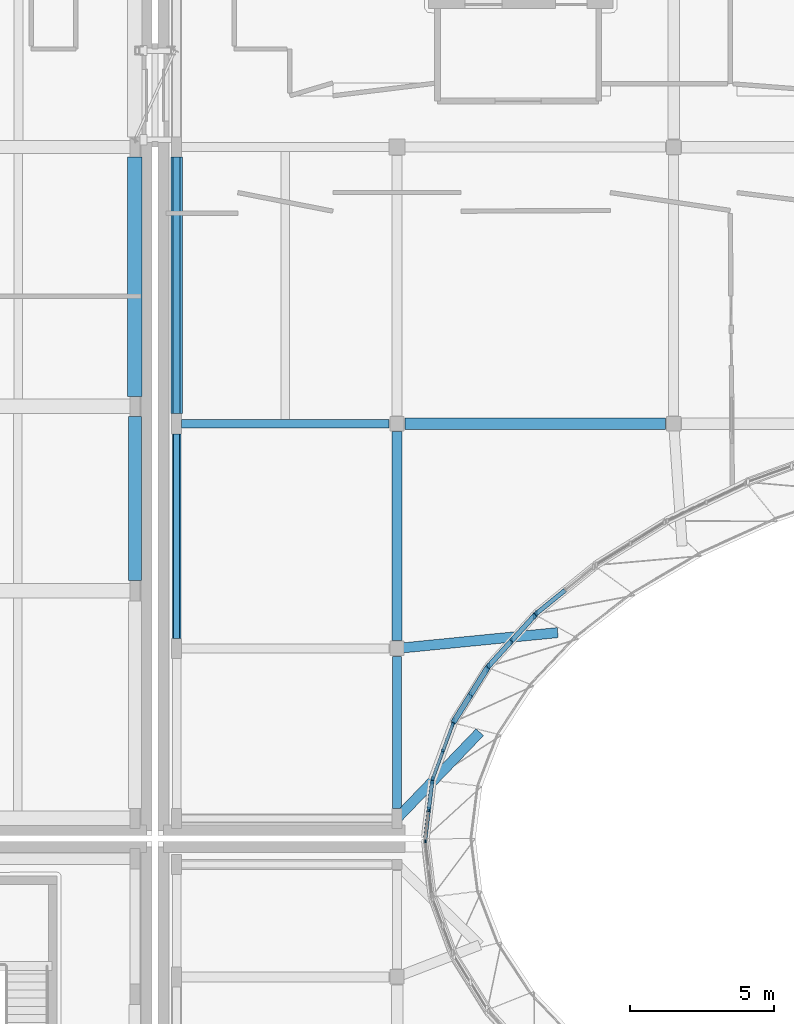
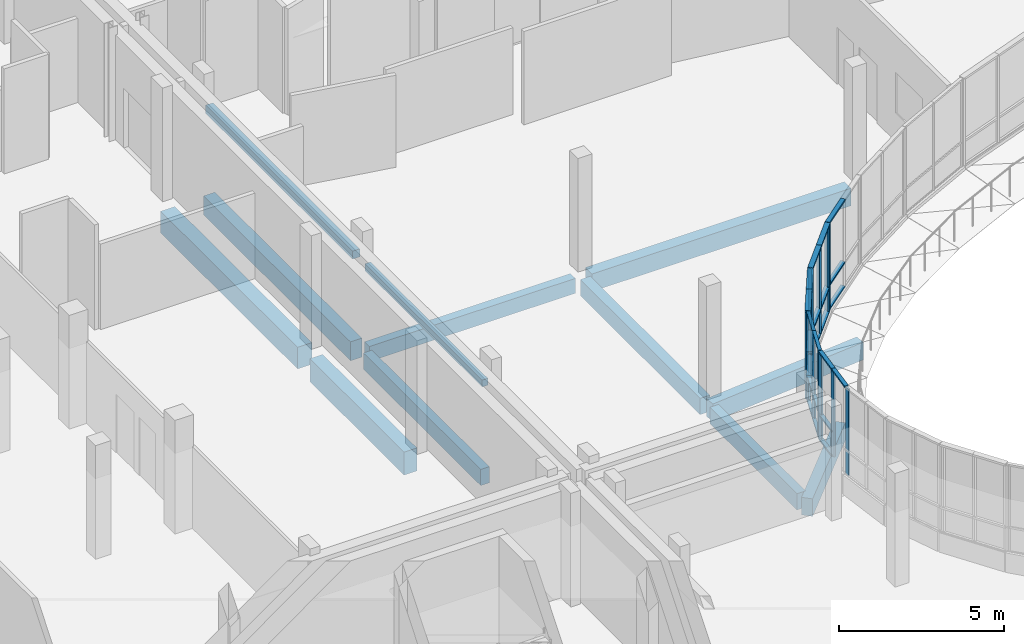
# One storey, part 20 of 84: 38 members, 12 beams, 6 elements without a shape of their own.
"""IFC4 building model written with IfcOpenShell, lengths in metres."""

from ifc_helpers import new_model, si_unit, direction, frame, origin, origin_2d, place, context, subcontext, project, spatial, rectangle, extrude, material, material_profile, profile_set, type_object, element, aggregate, save


model = new_model("IFC4")

# Units and contexts
model_context = context("Model", 3, precision=1e-05, world=origin(), true_north=direction((0.0, 1.0)))
body_context = subcontext(model_context, "Body", "Model", "MODEL_VIEW")
ifc_project = project(units=[si_unit("LENGTHUNIT", "METRE"), si_unit("AREAUNIT", "SQUARE_METRE"), si_unit("VOLUMEUNIT", "CUBIC_METRE"), si_unit("PLANEANGLEUNIT", "RADIAN"), si_unit("MASSUNIT", "GRAM", prefix="KILO")], contexts=[model_context])

# Site, building, storey
site_placement = place(None, origin())
site = spatial("IfcSite", under=ifc_project, at=site_placement, CompositionType="ELEMENT")
building_placement = place(site_placement, origin())
building = spatial("IfcBuilding", under=site, at=building_placement, Name="Mzevani Central Library", CompositionType="ELEMENT")
storey_placement = place(building_placement, frame((0.0, 0.0, 5.39990234375)))
storey = spatial("IfcBuildingStorey", under=building, at=storey_placement, Name="L01", CompositionType="ELEMENT", Elevation=5.39990234375)

# Beams
ifc_material_1 = material(Name="Concrete C35/45", Category="concrete")
ifc_material_profile_1 = material_profile(ifc_material_1, rectangle(XDim=0.300048828125, YDim=0.550048828125, at=origin_2d()), Name="RC B300x550")
ifc_profile_set_1 = profile_set([ifc_material_profile_1], Name="Concrete C35/45")
beam_type_1 = type_object("IfcBeamType", Name="Beam RC 300x550", PredefinedType="BEAM", material=ifc_profile_set_1)
beam_1_placement = place(storey_placement, frame((46.925048828125, 90.39990234375, -0.554931640625), z_axis=(1.0, 0.0, 0.0), x_axis=(0.0, 1.0, 0.0)))
element("IfcBeam", 1, at=beam_1_placement, inside=storey, type_object=beam_type_1, Name="L01 V3 Girder B-02 (453)", PredefinedType="BEAM", context=body_context, shape_type="SweptSolid", body=[
    extrude(rectangle(XDim=0.300048828125, YDim=0.550048828125, at=origin_2d()), origin(), (0.0, 0.0, 1.0), 7.199951171875),
])
ifc_material_profile_2 = material_profile(ifc_material_1, rectangle(XDim=0.300048828125, YDim=0.60009765625, at=origin_2d()), Name="RC B300x600")
ifc_profile_set_2 = profile_set([ifc_material_profile_2], Name="Concrete C35/45")
beam_type_2 = type_object("IfcBeamType", Name="Beam RC 300x600", PredefinedType="BEAM", material=ifc_profile_set_2)
beam_2_placement = place(storey_placement, frame((46.75, 82.949951171875, -0.579833984375), z_axis=(0.0, 1.0, 0.0), x_axis=(-1.0, 0.0, 0.0)))
element("IfcBeam", 2, at=beam_2_placement, inside=storey, type_object=beam_type_2, Name="L01 V3 Frame Beam B-03 (494)", PredefinedType="BEAM", context=body_context, shape_type="SweptSolid", body=[
    extrude(rectangle(XDim=0.300048828125, YDim=0.60009765625, at=origin_2d()), origin(), (0.0, 0.0, 1.0), 7.10009765625),
])
beam_3_placement = place(storey_placement, frame((54.39990234375, 77.050048828125, -0.579833984375), z_axis=(0.0, 1.0, 0.0), x_axis=(-1.0, 0.0, 0.0)))
element("IfcBeam", 3, at=beam_3_placement, inside=storey, type_object=beam_type_2, Name="L01 V3 Frame Beam B-03 (498)", PredefinedType="BEAM", context=body_context, shape_type="SweptSolid", body=[
    extrude(rectangle(XDim=0.300048828125, YDim=0.60009765625, at=origin_2d()), origin(), (0.0, 0.0, 1.0), 5.27490234375),
])
ifc_material_profile_3 = material_profile(ifc_material_1, rectangle(XDim=0.35009765625, YDim=0.60009765625, at=origin_2d()), Name="RC B350x600")
ifc_profile_set_3 = profile_set([ifc_material_profile_3], Name="Concrete C35/45")
beam_type_3 = type_object("IfcBeamType", Name="Beam RC 350x600", PredefinedType="BEAM", material=ifc_profile_set_3)
beam_4_placement = place(storey_placement, frame((54.39990234375, 82.875, -0.579833984375), z_axis=(0.0, 1.0, 0.0), x_axis=(-1.0, 0.0, 0.0)))
element("IfcBeam", 4, at=beam_4_placement, inside=storey, type_object=beam_type_3, Name="L01 V3 Frame Beam B-04 (499)", PredefinedType="BEAM", context=body_context, shape_type="SweptSolid", body=[
    extrude(rectangle(XDim=0.35009765625, YDim=0.60009765625, at=origin_2d()), origin(), (0.0, 0.0, 1.0), 7.25),
])
ifc_material_profile_4 = material_profile(ifc_material_1, rectangle(XDim=0.35009765625, YDim=0.64990234375, at=origin_2d()), Name="RC B350x650")
ifc_profile_set_4 = profile_set([ifc_material_profile_4], Name="Concrete C35/45")
beam_type_4 = type_object("IfcBeamType", Name="Beam RC 350x650", PredefinedType="BEAM", material=ifc_profile_set_4)
beam_5_placement = place(storey_placement, frame((59.97607421875, 83.14892578125, -0.60498046875), z_axis=(-0.995191285378, -0.097950525811, 0.0), x_axis=(0.097950525811, -0.995191285378, 0.0)))
element("IfcBeam", 5, at=beam_5_placement, inside=storey, type_object=beam_type_4, Name="L01 V3 Court Ring Beam 15", PredefinedType="BEAM", context=body_context, shape_type="SweptSolid", body=[
    extrude(rectangle(XDim=0.35009765625, YDim=0.64990234375, at=origin_2d()), origin(), (0.0, 0.0, 1.0), 5.60302734375),
])
beam_6_placement = place(storey_placement, frame((57.27099609375, 79.69091796875, -0.60498046875), z_axis=(-0.692502409, -0.721415562301, 0.0), x_axis=(0.721415562301, -0.692502409, 0.0)))
element("IfcBeam", 6, at=beam_6_placement, inside=storey, type_object=beam_type_4, Name="L01 V3 Court Ring Beam 17", PredefinedType="BEAM", context=body_context, shape_type="SweptSolid", body=[
    extrude(rectangle(XDim=0.35009765625, YDim=0.64990234375, at=origin_2d()), origin(), (0.0, 0.0, 1.0), 4.14599609375),
])
ifc_material_profile_5 = material_profile(ifc_material_1, rectangle(XDim=0.39990234375, YDim=0.64990234375, at=origin_2d()), Name="RC B400x650")
ifc_profile_set_5 = profile_set([ifc_material_profile_5], Name="Concrete C35/45")
beam_type_5 = type_object("IfcBeamType", Name="Beam RC 400x650", PredefinedType="BEAM", material=ifc_profile_set_5)
beam_7_placement = place(storey_placement, frame((54.675048828125, 90.39990234375, -0.60498046875), z_axis=(1.0, 0.0, 0.0), x_axis=(0.0, 1.0, 0.0)))
element("IfcBeam", 7, at=beam_7_placement, inside=storey, type_object=beam_type_5, Name="L01 V3 Girder B-07 (454)", PredefinedType="BEAM", context=body_context, shape_type="SweptSolid", body=[
    extrude(rectangle(XDim=0.39990234375, YDim=0.64990234375, at=origin_2d()), origin(), (0.0, 0.0, 1.0), 9.050048828125),
])
ifc_material_profile_6 = material_profile(ifc_material_1, rectangle(XDim=0.39990234375, YDim=0.699951171875, at=origin_2d()), Name="RC B400x700")
ifc_profile_set_6 = profile_set([ifc_material_profile_6], Name="Concrete C35/45")
beam_type_6 = type_object("IfcBeamType", Name="Beam RC 400x700", PredefinedType="BEAM", material=ifc_profile_set_6)
beam_8_placement = place(storey_placement, frame((46.75, 90.75, -0.6298828125), z_axis=(0.0, 1.0, 0.0), x_axis=(-1.0, 0.0, 0.0)))
element("IfcBeam", 8, at=beam_8_placement, inside=storey, type_object=beam_type_6, Name="L01 V3 Frame Beam B-08 (495)", PredefinedType="BEAM", context=body_context, shape_type="SweptSolid", body=[
    extrude(rectangle(XDim=0.39990234375, YDim=0.699951171875, at=origin_2d()), origin(), (0.0, 0.0, 1.0), 8.89990234375),
])

# Curtain wall, members
ifc_material_2 = material(Name="Thermally broken aluminium and Low-E triple glazing", Category="aluminium")
curtain_wall_type_1 = type_object("IfcCurtainWallType", Name="Elliptical Court Unitised Curtain Wall", PredefinedType="NOTDEFINED", material=ifc_material_2)
curtain_wall_1_placement = place(storey_placement, origin())
curtain_wall_1 = element("IfcCurtainWall", 9, at=curtain_wall_1_placement, inside=storey, type_object=curtain_wall_type_1, Name="L01 Elliptical Court Curtain Wall 23", PredefinedType="NOTDEFINED")
ifc_material_3 = material(Name="Thermally broken aluminium AW-6060", Category="aluminium")
ifc_material_profile_7 = material_profile(ifc_material_3, rectangle(XDim=0.06005859375, YDim=0.139892578125, at=origin_2d()), Name="ALU M60x140")
ifc_profile_set_7 = profile_set([ifc_material_profile_7], Name="Thermally broken aluminium AW-6060")
member_type_1 = type_object("IfcMemberType", Name="CW Mullion 60x140", PredefinedType="MULLION", material=ifc_profile_set_7)
member_1_placement = place(storey_placement, frame((56.331787109375, 79.965576171875, 0.72021484375), z_axis=(0.0, 0.0, 1.0), x_axis=(1.0, 0.0, 0.0)))
member_1 = element("IfcMember", 10, at=member_1_placement, type_object=member_type_1, Name="L01 Elliptical Court Curtain Wall 23 Mullion 1", PredefinedType="MULLION", context=body_context, shape_type="SweptSolid", body=[
    extrude(rectangle(XDim=0.06005859375, YDim=0.139892578125, at=origin_2d()), origin(), (0.0, 0.0, 1.0), 3.199951171875),
])
member_2_placement = place(storey_placement, frame((55.986572265625, 79.02392578125, 0.72021484375), z_axis=(0.0, 0.0, 1.0), x_axis=(1.0, 0.0, 0.0)))
member_2 = element("IfcMember", 11, at=member_2_placement, type_object=member_type_1, Name="L01 Elliptical Court Curtain Wall 23 Mullion 2", PredefinedType="MULLION", context=body_context, shape_type="SweptSolid", body=[
    extrude(rectangle(XDim=0.06005859375, YDim=0.139892578125, at=origin_2d()), origin(), (0.0, 0.0, 1.0), 3.199951171875),
])
member_3_placement = place(storey_placement, frame((55.641357421875, 78.082275390625, 0.72021484375), z_axis=(0.0, 0.0, 1.0), x_axis=(1.0, 0.0, 0.0)))
member_3 = element("IfcMember", 12, at=member_3_placement, type_object=member_type_1, Name="L01 Elliptical Court Curtain Wall 23 Mullion 3", PredefinedType="MULLION", context=body_context, shape_type="SweptSolid", body=[
    extrude(rectangle(XDim=0.06005859375, YDim=0.139892578125, at=origin_2d()), origin(), (0.0, 0.0, 1.0), 3.199951171875),
])

curtain_wall_2_placement = place(storey_placement, origin())
curtain_wall_2 = element("IfcCurtainWall", 13, at=curtain_wall_2_placement, inside=storey, type_object=curtain_wall_type_1, Name="L01 Elliptical Court Curtain Wall 24", PredefinedType="NOTDEFINED")
ifc_material_profile_8 = material_profile(ifc_material_3, rectangle(XDim=0.06005859375, YDim=0.159912109375, at=origin_2d()), Name="ALU M60x160")
ifc_profile_set_8 = profile_set([ifc_material_profile_8], Name="Thermally broken aluminium AW-6060")
member_type_2 = type_object("IfcMemberType", Name="CW Mullion 60x160", PredefinedType="MULLION", material=ifc_profile_set_8)
member_4_placement = place(storey_placement, frame((55.6171875, 77.969970703125, 0.72021484375), z_axis=(0.0, 0.0, 1.0), x_axis=(1.0, 0.0, 0.0)))
member_4 = element("IfcMember", 14, at=member_4_placement, type_object=member_type_2, Name="L01 Elliptical Court Curtain Wall 24 Mullion 1", PredefinedType="MULLION", context=body_context, shape_type="SweptSolid", body=[
    extrude(rectangle(XDim=0.06005859375, YDim=0.159912109375, at=origin_2d()), origin(), (0.0, 0.0, 1.0), 3.199951171875),
])
member_5_placement = place(storey_placement, frame((55.501708984375, 77.013671875, 0.72021484375), z_axis=(0.0, 0.0, 1.0), x_axis=(1.0, 0.0, 0.0)))
member_5 = element("IfcMember", 15, at=member_5_placement, type_object=member_type_2, Name="L01 Elliptical Court Curtain Wall 24 Mullion 2", PredefinedType="MULLION", context=body_context, shape_type="SweptSolid", body=[
    extrude(rectangle(XDim=0.06005859375, YDim=0.159912109375, at=origin_2d()), origin(), (0.0, 0.0, 1.0), 3.199951171875),
])

# Curtain wall, member
curtain_wall_3_placement = place(storey_placement, origin())
curtain_wall_3 = element("IfcCurtainWall", 16, at=curtain_wall_3_placement, inside=storey, type_object=curtain_wall_type_1, Name="L01 Elliptical Court Curtain Wall 20", PredefinedType="NOTDEFINED")
ifc_material_profile_9 = material_profile(ifc_material_3, rectangle(XDim=0.06005859375, YDim=0.179931640625, at=origin_2d()), Name="ALU M60x180")
ifc_profile_set_9 = profile_set([ifc_material_profile_9], Name="Thermally broken aluminium AW-6060")
member_type_3 = type_object("IfcMemberType", Name="CW Mullion 60x180", PredefinedType="MULLION", material=ifc_profile_set_9)
member_6_placement = place(storey_placement, frame((59.23681640625, 83.812744140625, 0.72021484375), z_axis=(0.0, 0.0, 1.0), x_axis=(1.0, 0.0, 0.0)))
member_6 = element("IfcMember", 17, at=member_6_placement, type_object=member_type_3, Name="L01 Elliptical Court Curtain Wall 20 Mullion 3", PredefinedType="MULLION", context=body_context, shape_type="SweptSolid", body=[
    extrude(rectangle(XDim=0.06005859375, YDim=0.179931640625, at=origin_2d()), origin(), (0.0, 0.0, 1.0), 3.199951171875),
])

curtain_wall_type_2 = type_object("IfcCurtainWallType", Name="Reading Hall Northlight Curtain Wall", PredefinedType="NOTDEFINED", material=ifc_material_2)
curtain_wall_4_placement = place(storey_placement, origin())
curtain_wall_4 = element("IfcCurtainWall", 18, at=curtain_wall_4_placement, inside=storey, type_object=curtain_wall_type_2, Name="L01 Elliptical Court Curtain Wall 25", PredefinedType="NOTDEFINED")
member_7_placement = place(storey_placement, frame((55.385986328125, 75.942626953125, 0.72021484375), z_axis=(0.0, 0.0, 1.0), x_axis=(1.0, 0.0, 0.0)))
member_7 = element("IfcMember", 19, at=member_7_placement, type_object=member_type_3, Name="L01 Elliptical Court Curtain Wall 25 Mullion 1", PredefinedType="MULLION", context=body_context, shape_type="SweptSolid", body=[
    extrude(rectangle(XDim=0.06005859375, YDim=0.179931640625, at=origin_2d()), origin(), (0.0, 0.0, 1.0), 3.199951171875),
])
aggregate(curtain_wall_4, [member_7])

# Curtain wall, members
curtain_wall_5_placement = place(storey_placement, origin())
curtain_wall_5 = element("IfcCurtainWall", 20, at=curtain_wall_5_placement, inside=storey, type_object=curtain_wall_type_1, Name="L01 Elliptical Court Curtain Wall 21", PredefinedType="NOTDEFINED")
ifc_material_profile_10 = material_profile(ifc_material_3, rectangle(XDim=0.06494140625, YDim=0.199951171875, at=origin_2d()), Name="ALU M65x200")
ifc_profile_set_10 = profile_set([ifc_material_profile_10], Name="Thermally broken aluminium AW-6060")
member_type_4 = type_object("IfcMemberType", Name="CW Mullion 65x200", PredefinedType="MULLION", material=ifc_profile_set_10)
member_8_placement = place(storey_placement, frame((59.15869140625, 83.72607421875, 0.72021484375), z_axis=(0.0, 0.0, 1.0), x_axis=(1.0, 0.0, 0.0)))
member_8 = element("IfcMember", 21, at=member_8_placement, type_object=member_type_4, Name="L01 Elliptical Court Curtain Wall 21 Mullion 1", PredefinedType="MULLION", context=body_context, shape_type="SweptSolid", body=[
    extrude(rectangle(XDim=0.06494140625, YDim=0.199951171875, at=origin_2d()), origin(), (0.0, 0.0, 1.0), 3.199951171875),
])
member_9_placement = place(storey_placement, frame((58.370849609375, 82.85888671875, 0.72021484375), z_axis=(0.0, 0.0, 1.0), x_axis=(1.0, 0.0, 0.0)))
member_9 = element("IfcMember", 22, at=member_9_placement, type_object=member_type_4, Name="L01 Elliptical Court Curtain Wall 21 Mullion 2", PredefinedType="MULLION", context=body_context, shape_type="SweptSolid", body=[
    extrude(rectangle(XDim=0.06494140625, YDim=0.199951171875, at=origin_2d()), origin(), (0.0, 0.0, 1.0), 3.199951171875),
])
member_10_placement = place(storey_placement, frame((57.5830078125, 81.991943359375, 0.72021484375), z_axis=(0.0, 0.0, 1.0), x_axis=(1.0, 0.0, 0.0)))
member_10 = element("IfcMember", 23, at=member_10_placement, type_object=member_type_4, Name="L01 Elliptical Court Curtain Wall 21 Mullion 3", PredefinedType="MULLION", context=body_context, shape_type="SweptSolid", body=[
    extrude(rectangle(XDim=0.06494140625, YDim=0.199951171875, at=origin_2d()), origin(), (0.0, 0.0, 1.0), 3.199951171875),
])

curtain_wall_6_placement = place(storey_placement, origin())
curtain_wall_6 = element("IfcCurtainWall", 24, at=curtain_wall_6_placement, inside=storey, type_object=curtain_wall_type_2, Name="L01 Elliptical Court Curtain Wall 22", PredefinedType="NOTDEFINED")
ifc_material_profile_11 = material_profile(ifc_material_3, rectangle(XDim=0.070068359375, YDim=0.219970703125, at=origin_2d()), Name="ALU M70x220")
ifc_profile_set_11 = profile_set([ifc_material_profile_11], Name="Thermally broken aluminium AW-6060")
member_type_5 = type_object("IfcMemberType", Name="CW Mullion 70x220", PredefinedType="MULLION", material=ifc_profile_set_11)
member_11_placement = place(storey_placement, frame((57.51904296875, 81.8955078125, 0.72021484375), z_axis=(0.0, 0.0, 1.0), x_axis=(1.0, 0.0, 0.0)))
member_11 = element("IfcMember", 25, at=member_11_placement, type_object=member_type_5, Name="L01 Elliptical Court Curtain Wall 22 Mullion 1", PredefinedType="MULLION", context=body_context, shape_type="SweptSolid", body=[
    extrude(rectangle(XDim=0.070068359375, YDim=0.219970703125, at=origin_2d()), origin(), (0.0, 0.0, 1.0), 3.199951171875),
])
member_12_placement = place(storey_placement, frame((56.948486328125, 80.9833984375, 0.72021484375), z_axis=(0.0, 0.0, 1.0), x_axis=(1.0, 0.0, 0.0)))
member_12 = element("IfcMember", 26, at=member_12_placement, type_object=member_type_5, Name="L01 Elliptical Court Curtain Wall 22 Mullion 2", PredefinedType="MULLION", context=body_context, shape_type="SweptSolid", body=[
    extrude(rectangle(XDim=0.070068359375, YDim=0.219970703125, at=origin_2d()), origin(), (0.0, 0.0, 1.0), 3.199951171875),
])
member_13_placement = place(storey_placement, frame((56.3779296875, 80.0712890625, 0.72021484375), z_axis=(0.0, 0.0, 1.0), x_axis=(1.0, 0.0, 0.0)))
member_13 = element("IfcMember", 27, at=member_13_placement, type_object=member_type_5, Name="L01 Elliptical Court Curtain Wall 22 Mullion 3", PredefinedType="MULLION", context=body_context, shape_type="SweptSolid", body=[
    extrude(rectangle(XDim=0.070068359375, YDim=0.219970703125, at=origin_2d()), origin(), (0.0, 0.0, 1.0), 3.199951171875),
])

# Member
ifc_material_profile_12 = material_profile(ifc_material_3, rectangle(XDim=0.110107421875, YDim=0.06005859375, at=origin_2d()), Name="ALU T60x110")
ifc_profile_set_12 = profile_set([ifc_material_profile_12], Name="Thermally broken aluminium AW-6060")
member_type_6 = type_object("IfcMemberType", Name="CW Transom 60x110", PredefinedType="USERDEFINED", material=ifc_profile_set_12)
member_14_placement = place(storey_placement, frame((56.34912109375, 80.0126953125, 0.72021484375), z_axis=(-0.344254649158, -0.938876315887, 0.0), x_axis=(0.938876315887, -0.344254649158, 0.0)))
member_14 = element("IfcMember", 28, at=member_14_placement, type_object=member_type_6, Name="L01 Elliptical Court Curtain Wall 23 Transom 1", ObjectType="TRANSOM", PredefinedType="USERDEFINED", context=body_context, shape_type="SweptSolid", body=[
    extrude(rectangle(XDim=0.110107421875, YDim=0.06005859375, at=origin_2d()), origin(), (0.0, 0.0, 1.0), 1.05322265625),
])

member_15_placement = place(storey_placement, frame((56.34912109375, 80.0126953125, 1.6201171875), z_axis=(-0.344254649158, -0.938876315887, 0.0), x_axis=(0.938876315887, -0.344254649158, 0.0)))
member_15 = element("IfcMember", 29, at=member_15_placement, type_object=member_type_6, Name="L01 Elliptical Court Curtain Wall 23 Transom 2", ObjectType="TRANSOM", PredefinedType="USERDEFINED", context=body_context, shape_type="SweptSolid", body=[
    extrude(rectangle(XDim=0.110107421875, YDim=0.06005859375, at=origin_2d()), origin(), (0.0, 0.0, 1.0), 1.05322265625),
])

member_16_placement = place(storey_placement, frame((56.34912109375, 80.0126953125, 3.920166015625), z_axis=(-0.344254649158, -0.938876315887, 0.0), x_axis=(0.938876315887, -0.344254649158, 0.0)))
member_16 = element("IfcMember", 30, at=member_16_placement, type_object=member_type_6, Name="L01 Elliptical Court Curtain Wall 23 Transom 3", ObjectType="TRANSOM", PredefinedType="USERDEFINED", context=body_context, shape_type="SweptSolid", body=[
    extrude(rectangle(XDim=0.110107421875, YDim=0.06005859375, at=origin_2d()), origin(), (0.0, 0.0, 1.0), 1.05322265625),
])

member_17_placement = place(storey_placement, frame((55.986572265625, 79.02392578125, 0.72021484375), z_axis=(-0.344125187057, -0.938923775198, 0.0), x_axis=(0.938923775198, -0.344125187057, 0.0)))
member_17 = element("IfcMember", 31, at=member_17_placement, type_object=member_type_6, Name="L01 Elliptical Court Curtain Wall 23 Transom 4", ObjectType="TRANSOM", PredefinedType="USERDEFINED", context=body_context, shape_type="SweptSolid", body=[
    extrude(rectangle(XDim=0.110107421875, YDim=0.06005859375, at=origin_2d()), origin(), (0.0, 0.0, 1.0), 1.052734375),
])

member_18_placement = place(storey_placement, frame((55.986572265625, 79.02392578125, 1.6201171875), z_axis=(-0.344125187057, -0.938923775198, 0.0), x_axis=(0.938923775198, -0.344125187057, 0.0)))
member_18 = element("IfcMember", 32, at=member_18_placement, type_object=member_type_6, Name="L01 Elliptical Court Curtain Wall 23 Transom 5", ObjectType="TRANSOM", PredefinedType="USERDEFINED", context=body_context, shape_type="SweptSolid", body=[
    extrude(rectangle(XDim=0.110107421875, YDim=0.06005859375, at=origin_2d()), origin(), (0.0, 0.0, 1.0), 1.052734375),
])

member_19_placement = place(storey_placement, frame((55.986572265625, 79.02392578125, 3.920166015625), z_axis=(-0.344125187057, -0.938923775198, 0.0), x_axis=(0.938923775198, -0.344125187057, 0.0)))
member_19 = element("IfcMember", 33, at=member_19_placement, type_object=member_type_6, Name="L01 Elliptical Court Curtain Wall 23 Transom 6", ObjectType="TRANSOM", PredefinedType="USERDEFINED", context=body_context, shape_type="SweptSolid", body=[
    extrude(rectangle(XDim=0.110107421875, YDim=0.06005859375, at=origin_2d()), origin(), (0.0, 0.0, 1.0), 1.052734375),
])

aggregate(curtain_wall_1, [member_1, member_2, member_3, member_14, member_15, member_16, member_17, member_18, member_19])

ifc_material_profile_13 = material_profile(ifc_material_3, rectangle(XDim=0.1298828125, YDim=0.06005859375, at=origin_2d()), Name="ALU T60x130")
ifc_profile_set_13 = profile_set([ifc_material_profile_13], Name="Thermally broken aluminium AW-6060")
member_type_7 = type_object("IfcMemberType", Name="CW Transom 60x130", PredefinedType="USERDEFINED", material=ifc_profile_set_13)
member_20_placement = place(storey_placement, frame((55.623046875, 78.01953125, 0.72021484375), z_axis=(-0.119762829535, -0.992802530548, 0.0), x_axis=(0.992802530548, -0.119762829535, 0.0)))
member_20 = element("IfcMember", 34, at=member_20_placement, type_object=member_type_7, Name="L01 Elliptical Court Curtain Wall 24 Transom 1", ObjectType="TRANSOM", PredefinedType="USERDEFINED", context=body_context, shape_type="SweptSolid", body=[
    extrude(rectangle(XDim=0.1298828125, YDim=0.06005859375, at=origin_2d()), origin(), (0.0, 0.0, 1.0), 1.01318359375),
])

member_21_placement = place(storey_placement, frame((55.623046875, 78.01953125, 1.6201171875), z_axis=(-0.119762829535, -0.992802530548, 0.0), x_axis=(0.992802530548, -0.119762829535, 0.0)))
member_21 = element("IfcMember", 35, at=member_21_placement, type_object=member_type_7, Name="L01 Elliptical Court Curtain Wall 24 Transom 2", ObjectType="TRANSOM", PredefinedType="USERDEFINED", context=body_context, shape_type="SweptSolid", body=[
    extrude(rectangle(XDim=0.1298828125, YDim=0.06005859375, at=origin_2d()), origin(), (0.0, 0.0, 1.0), 1.01318359375),
])

member_22_placement = place(storey_placement, frame((55.623046875, 78.01953125, 3.920166015625), z_axis=(-0.119762829535, -0.992802530548, 0.0), x_axis=(0.992802530548, -0.119762829535, 0.0)))
member_22 = element("IfcMember", 36, at=member_22_placement, type_object=member_type_7, Name="L01 Elliptical Court Curtain Wall 24 Transom 3", ObjectType="TRANSOM", PredefinedType="USERDEFINED", context=body_context, shape_type="SweptSolid", body=[
    extrude(rectangle(XDim=0.1298828125, YDim=0.06005859375, at=origin_2d()), origin(), (0.0, 0.0, 1.0), 1.01318359375),
])

member_23_placement = place(storey_placement, frame((55.501708984375, 77.013671875, 3.920166015625), z_axis=(-0.120000334448, -0.992773851253, 0.0), x_axis=(0.992773851253, -0.120000334448, 0.0)))
member_23 = element("IfcMember", 37, at=member_23_placement, type_object=member_type_7, Name="L01 Elliptical Court Curtain Wall 24 Transom 6", ObjectType="TRANSOM", PredefinedType="USERDEFINED", context=body_context, shape_type="SweptSolid", body=[
    extrude(rectangle(XDim=0.1298828125, YDim=0.06005859375, at=origin_2d()), origin(), (0.0, 0.0, 1.0), 1.01318359375),
])

aggregate(curtain_wall_2, [member_4, member_5, member_20, member_21, member_22, member_23])

ifc_material_profile_14 = material_profile(ifc_material_3, rectangle(XDim=0.14990234375, YDim=0.06005859375, at=origin_2d()), Name="ALU T60x150")
ifc_profile_set_14 = profile_set([ifc_material_profile_14], Name="Thermally broken aluminium AW-6060")
member_type_8 = type_object("IfcMemberType", Name="CW Transom 60x150", PredefinedType="USERDEFINED", material=ifc_profile_set_14)
member_24_placement = place(storey_placement, frame((60.22998046875, 84.619384765625, 0.72021484375), z_axis=(-0.776243179452, -0.63043360186, 0.0), x_axis=(0.63043360186, -0.776243179452, 0.0)))
member_24 = element("IfcMember", 38, at=member_24_placement, type_object=member_type_8, Name="L01 Elliptical Court Curtain Wall 20 Transom 4", ObjectType="TRANSOM", PredefinedType="USERDEFINED", context=body_context, shape_type="SweptSolid", body=[
    extrude(rectangle(XDim=0.14990234375, YDim=0.06005859375, at=origin_2d()), origin(), (0.0, 0.0, 1.0), 1.329345703125),
])

member_25_placement = place(storey_placement, frame((60.22998046875, 84.619384765625, 1.6201171875), z_axis=(-0.776243179452, -0.63043360186, 0.0), x_axis=(0.63043360186, -0.776243179452, 0.0)))
member_25 = element("IfcMember", 39, at=member_25_placement, type_object=member_type_8, Name="L01 Elliptical Court Curtain Wall 20 Transom 5", ObjectType="TRANSOM", PredefinedType="USERDEFINED", context=body_context, shape_type="SweptSolid", body=[
    extrude(rectangle(XDim=0.14990234375, YDim=0.06005859375, at=origin_2d()), origin(), (0.0, 0.0, 1.0), 1.329345703125),
])

member_26_placement = place(storey_placement, frame((60.22998046875, 84.619384765625, 3.920166015625), z_axis=(-0.776243179452, -0.63043360186, 0.0), x_axis=(0.63043360186, -0.776243179452, 0.0)))
member_26 = element("IfcMember", 40, at=member_26_placement, type_object=member_type_8, Name="L01 Elliptical Court Curtain Wall 20 Transom 6", ObjectType="TRANSOM", PredefinedType="USERDEFINED", context=body_context, shape_type="SweptSolid", body=[
    extrude(rectangle(XDim=0.14990234375, YDim=0.06005859375, at=origin_2d()), origin(), (0.0, 0.0, 1.0), 1.329345703125),
])

aggregate(curtain_wall_3, [member_6, member_24, member_25, member_26])

ifc_material_profile_15 = material_profile(ifc_material_3, rectangle(XDim=0.169921875, YDim=0.06494140625, at=origin_2d()), Name="ALU T65x170")
ifc_profile_set_15 = profile_set([ifc_material_profile_15], Name="Thermally broken aluminium AW-6060")
member_type_9 = type_object("IfcMemberType", Name="CW Transom 65x170", PredefinedType="USERDEFINED", material=ifc_profile_set_15)
member_27_placement = place(storey_placement, frame((59.1923828125, 83.762939453125, 0.72021484375), z_axis=(-0.67252356476, -0.740075708858, 0.0), x_axis=(0.740075708858, -0.67252356476, 0.0)))
member_27 = element("IfcMember", 41, at=member_27_placement, type_object=member_type_9, Name="L01 Elliptical Court Curtain Wall 21 Transom 1", ObjectType="TRANSOM", PredefinedType="USERDEFINED", context=body_context, shape_type="SweptSolid", body=[
    extrude(rectangle(XDim=0.169921875, YDim=0.06494140625, at=origin_2d()), origin(), (0.0, 0.0, 1.0), 1.2216796875),
])

member_28_placement = place(storey_placement, frame((59.1923828125, 83.762939453125, 1.6201171875), z_axis=(-0.67252356476, -0.740075708858, 0.0), x_axis=(0.740075708858, -0.67252356476, 0.0)))
member_28 = element("IfcMember", 42, at=member_28_placement, type_object=member_type_9, Name="L01 Elliptical Court Curtain Wall 21 Transom 2", ObjectType="TRANSOM", PredefinedType="USERDEFINED", context=body_context, shape_type="SweptSolid", body=[
    extrude(rectangle(XDim=0.169921875, YDim=0.06494140625, at=origin_2d()), origin(), (0.0, 0.0, 1.0), 1.2216796875),
])

member_29_placement = place(storey_placement, frame((59.1923828125, 83.762939453125, 3.920166015625), z_axis=(-0.67252356476, -0.740075708858, 0.0), x_axis=(0.740075708858, -0.67252356476, 0.0)))
member_29 = element("IfcMember", 43, at=member_29_placement, type_object=member_type_9, Name="L01 Elliptical Court Curtain Wall 21 Transom 3", ObjectType="TRANSOM", PredefinedType="USERDEFINED", context=body_context, shape_type="SweptSolid", body=[
    extrude(rectangle(XDim=0.169921875, YDim=0.06494140625, at=origin_2d()), origin(), (0.0, 0.0, 1.0), 1.2216796875),
])

member_30_placement = place(storey_placement, frame((58.370849609375, 82.85888671875, 0.72021484375), z_axis=(-0.67252356476, -0.740075708858, 0.0), x_axis=(0.740075708858, -0.67252356476, 0.0)))
member_30 = element("IfcMember", 44, at=member_30_placement, type_object=member_type_9, Name="L01 Elliptical Court Curtain Wall 21 Transom 4", ObjectType="TRANSOM", PredefinedType="USERDEFINED", context=body_context, shape_type="SweptSolid", body=[
    extrude(rectangle(XDim=0.169921875, YDim=0.06494140625, at=origin_2d()), origin(), (0.0, 0.0, 1.0), 1.2216796875),
])

member_31_placement = place(storey_placement, frame((58.370849609375, 82.85888671875, 1.6201171875), z_axis=(-0.67252356476, -0.740075708858, 0.0), x_axis=(0.740075708858, -0.67252356476, 0.0)))
member_31 = element("IfcMember", 45, at=member_31_placement, type_object=member_type_9, Name="L01 Elliptical Court Curtain Wall 21 Transom 5", ObjectType="TRANSOM", PredefinedType="USERDEFINED", context=body_context, shape_type="SweptSolid", body=[
    extrude(rectangle(XDim=0.169921875, YDim=0.06494140625, at=origin_2d()), origin(), (0.0, 0.0, 1.0), 1.2216796875),
])

member_32_placement = place(storey_placement, frame((58.370849609375, 82.85888671875, 3.920166015625), z_axis=(-0.67252356476, -0.740075708858, 0.0), x_axis=(0.740075708858, -0.67252356476, 0.0)))
member_32 = element("IfcMember", 46, at=member_32_placement, type_object=member_type_9, Name="L01 Elliptical Court Curtain Wall 21 Transom 6", ObjectType="TRANSOM", PredefinedType="USERDEFINED", context=body_context, shape_type="SweptSolid", body=[
    extrude(rectangle(XDim=0.169921875, YDim=0.06494140625, at=origin_2d()), origin(), (0.0, 0.0, 1.0), 1.2216796875),
])

aggregate(curtain_wall_5, [member_8, member_9, member_10, member_27, member_28, member_29, member_30, member_31, member_32])

ifc_material_profile_16 = material_profile(ifc_material_3, rectangle(XDim=0.18994140625, YDim=0.070068359375, at=origin_2d()), Name="ALU T70x190")
ifc_profile_set_16 = profile_set([ifc_material_profile_16], Name="Thermally broken aluminium AW-6060")
member_type_10 = type_object("IfcMemberType", Name="CW Transom 70x190", PredefinedType="USERDEFINED", material=ifc_profile_set_16)
member_33_placement = place(storey_placement, frame((57.54541015625, 81.93798828125, 0.72021484375), z_axis=(-0.530193845731, -0.847876456772, 0.0), x_axis=(0.847876456772, -0.530193845731, 0.0)))
member_33 = element("IfcMember", 47, at=member_33_placement, type_object=member_type_10, Name="L01 Elliptical Court Curtain Wall 22 Transom 1", ObjectType="TRANSOM", PredefinedType="USERDEFINED", context=body_context, shape_type="SweptSolid", body=[
    extrude(rectangle(XDim=0.18994140625, YDim=0.070068359375, at=origin_2d()), origin(), (0.0, 0.0, 1.0), 1.1259765625),
])

member_34_placement = place(storey_placement, frame((57.54541015625, 81.93798828125, 1.6201171875), z_axis=(-0.530193845731, -0.847876456772, 0.0), x_axis=(0.847876456772, -0.530193845731, 0.0)))
member_34 = element("IfcMember", 48, at=member_34_placement, type_object=member_type_10, Name="L01 Elliptical Court Curtain Wall 22 Transom 2", ObjectType="TRANSOM", PredefinedType="USERDEFINED", context=body_context, shape_type="SweptSolid", body=[
    extrude(rectangle(XDim=0.18994140625, YDim=0.070068359375, at=origin_2d()), origin(), (0.0, 0.0, 1.0), 1.1259765625),
])

member_35_placement = place(storey_placement, frame((57.54541015625, 81.93798828125, 3.920166015625), z_axis=(-0.530193845731, -0.847876456772, 0.0), x_axis=(0.847876456772, -0.530193845731, 0.0)))
member_35 = element("IfcMember", 49, at=member_35_placement, type_object=member_type_10, Name="L01 Elliptical Court Curtain Wall 22 Transom 3", ObjectType="TRANSOM", PredefinedType="USERDEFINED", context=body_context, shape_type="SweptSolid", body=[
    extrude(rectangle(XDim=0.18994140625, YDim=0.070068359375, at=origin_2d()), origin(), (0.0, 0.0, 1.0), 1.1259765625),
])

member_36_placement = place(storey_placement, frame((56.948486328125, 80.9833984375, 0.72021484375), z_axis=(-0.530349709822, -0.847778971956, 0.0), x_axis=(0.847778971956, -0.530349709822, 0.0)))
member_36 = element("IfcMember", 50, at=member_36_placement, type_object=member_type_10, Name="L01 Elliptical Court Curtain Wall 22 Transom 4", ObjectType="TRANSOM", PredefinedType="USERDEFINED", context=body_context, shape_type="SweptSolid", body=[
    extrude(rectangle(XDim=0.18994140625, YDim=0.070068359375, at=origin_2d()), origin(), (0.0, 0.0, 1.0), 1.1259765625),
])

member_37_placement = place(storey_placement, frame((56.948486328125, 80.9833984375, 1.6201171875), z_axis=(-0.530349709822, -0.847778971956, 0.0), x_axis=(0.847778971956, -0.530349709822, 0.0)))
member_37 = element("IfcMember", 51, at=member_37_placement, type_object=member_type_10, Name="L01 Elliptical Court Curtain Wall 22 Transom 5", ObjectType="TRANSOM", PredefinedType="USERDEFINED", context=body_context, shape_type="SweptSolid", body=[
    extrude(rectangle(XDim=0.18994140625, YDim=0.070068359375, at=origin_2d()), origin(), (0.0, 0.0, 1.0), 1.1259765625),
])

member_38_placement = place(storey_placement, frame((56.948486328125, 80.9833984375, 3.920166015625), z_axis=(-0.530349709822, -0.847778971956, 0.0), x_axis=(0.847778971956, -0.530349709822, 0.0)))
member_38 = element("IfcMember", 52, at=member_38_placement, type_object=member_type_10, Name="L01 Elliptical Court Curtain Wall 22 Transom 6", ObjectType="TRANSOM", PredefinedType="USERDEFINED", context=body_context, shape_type="SweptSolid", body=[
    extrude(rectangle(XDim=0.18994140625, YDim=0.070068359375, at=origin_2d()), origin(), (0.0, 0.0, 1.0), 1.1259765625),
])

aggregate(curtain_wall_6, [member_11, member_12, member_13, member_33, member_34, member_35, member_36, member_37, member_38])

# Beams
ifc_material_4 = material(Name="Precast concrete C40/50", Category="concrete")
ifc_material_profile_17 = material_profile(ifc_material_4, rectangle(XDim=0.199951171875, YDim=0.25, at=origin_2d()), Name="PC LN200x250")
ifc_profile_set_17 = profile_set([ifc_material_profile_17], Name="Precast concrete C40/50")
beam_type_7 = type_object("IfcBeamType", Name="Precast Window Lintel 200x250", PredefinedType="LINTEL", material=ifc_profile_set_17)
beam_9_placement = place(storey_placement, frame((46.75, 82.949951171875, 2.875), z_axis=(0.0, 1.0, 0.0), x_axis=(-1.0, 0.0, 0.0)))
element("IfcBeam", 53, at=beam_9_placement, inside=storey, type_object=beam_type_7, Name="L01 V3 Precast Portal Lintel (43)", PredefinedType="LINTEL", context=body_context, shape_type="SweptSolid", body=[
    extrude(rectangle(XDim=0.199951171875, YDim=0.25, at=origin_2d()), origin(), (0.0, 0.0, 1.0), 7.10009765625),
])
ifc_material_profile_18 = material_profile(ifc_material_4, rectangle(XDim=0.25, YDim=0.300048828125, at=origin_2d()), Name="PC LN250x300")
ifc_profile_set_18 = profile_set([ifc_material_profile_18], Name="Precast concrete C40/50")
beam_type_8 = type_object("IfcBeamType", Name="Precast Window Lintel 250x300", PredefinedType="LINTEL", material=ifc_profile_set_18)
beam_10_placement = place(storey_placement, frame((46.75, 90.75, 2.900146484375), z_axis=(0.0, 1.0, 0.0), x_axis=(-1.0, 0.0, 0.0)))
element("IfcBeam", 54, at=beam_10_placement, inside=storey, type_object=beam_type_8, Name="L01 V3 Precast Portal Lintel (44)", PredefinedType="LINTEL", context=body_context, shape_type="SweptSolid", body=[
    extrude(rectangle(XDim=0.25, YDim=0.300048828125, at=origin_2d()), origin(), (0.0, 0.0, 1.0), 8.89990234375),
])
ifc_material_5 = material(Name="Concrete C40/50", Category="concrete")
ifc_material_profile_19 = material_profile(ifc_material_5, rectangle(XDim=0.449951171875, YDim=0.85009765625, at=origin_2d()), Name="RC B450x850")
ifc_profile_set_19 = profile_set([ifc_material_profile_19], Name="Concrete C40/50")
beam_type_9 = type_object("IfcBeamType", Name="Stack Girder RC 450x850", PredefinedType="BEAM", material=ifc_profile_set_19)
beam_11_placement = place(storey_placement, frame((45.300048828125, 84.949951171875, -0.744873046875), z_axis=(0.0, 1.0, 0.0), x_axis=(-1.0, 0.0, 0.0)))
element("IfcBeam", 55, at=beam_11_placement, inside=storey, type_object=beam_type_9, Name="L01 V2 Frame Beam BG-04 (255)", PredefinedType="BEAM", context=body_context, shape_type="SweptSolid", body=[
    extrude(rectangle(XDim=0.449951171875, YDim=0.85009765625, at=origin_2d()), origin(), (0.0, 0.0, 1.0), 5.699951171875),
])
ifc_material_profile_20 = material_profile(ifc_material_5, rectangle(XDim=0.5, YDim=0.800048828125, at=origin_2d()), Name="RC B500x800")
ifc_profile_set_20 = profile_set([ifc_material_profile_20], Name="Concrete C40/50")
beam_type_10 = type_object("IfcBeamType", Name="Stack Girder RC 500x800", PredefinedType="BEAM", material=ifc_profile_set_20)
beam_12_placement = place(storey_placement, frame((45.300048828125, 91.35009765625, -0.719970703125), z_axis=(0.0, 1.0, 0.0), x_axis=(-1.0, 0.0, 0.0)))
element("IfcBeam", 56, at=beam_12_placement, inside=storey, type_object=beam_type_10, Name="L01 V2 Frame Beam BG-05 (256)", PredefinedType="BEAM", context=body_context, shape_type="SweptSolid", body=[
    extrude(rectangle(XDim=0.5, YDim=0.800048828125, at=origin_2d()), origin(), (0.0, 0.0, 1.0), 8.2998046875),
])

save(model, "model.ifc")
